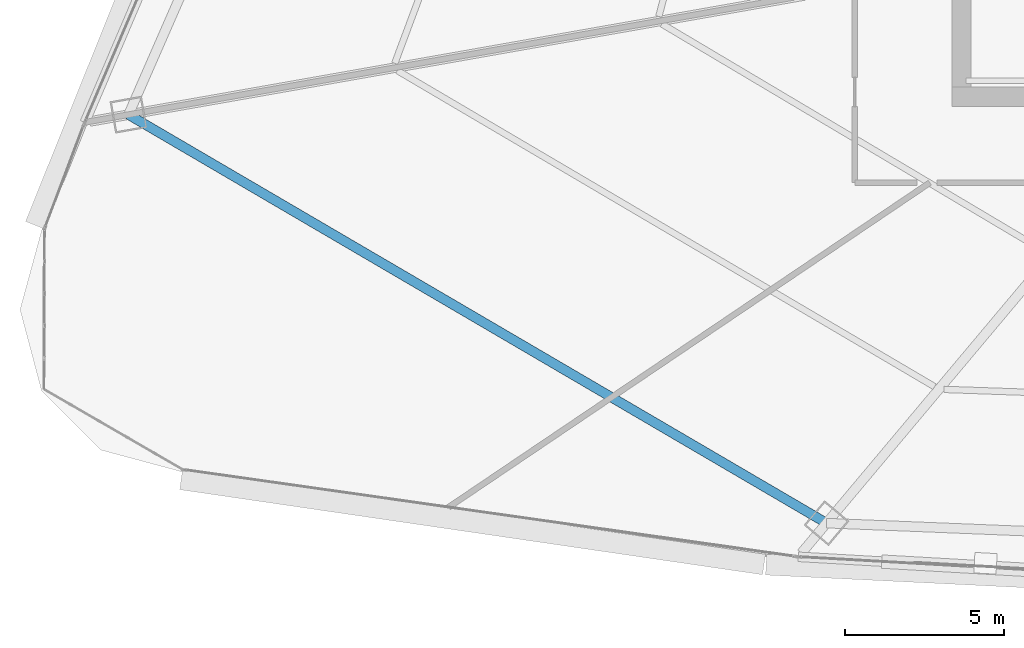
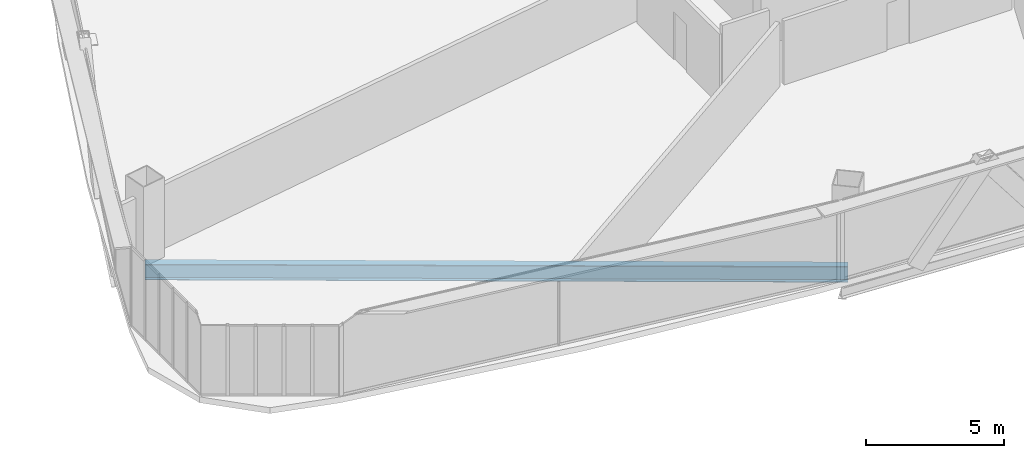
# One storey, part 5 of 41: 1 beam.
"""IFC4 building model written with IfcOpenShell, lengths in metres."""

from ifc_helpers import new_model, si_unit, direction, frame, origin, origin_2d, place, context, subcontext, project, spatial, i_section, extrude, source, transform, mapped, material, material_profile, profile_set, type_object, element, save


model = new_model("IFC4")

# Units and contexts
model_context = context("Model", 3, precision=1e-05, world=origin(), true_north=direction((0.0, 1.0)))
body_context = subcontext(model_context, "Body", "Model", "MODEL_VIEW")
ifc_project = project(units=[si_unit("LENGTHUNIT", "METRE"), si_unit("AREAUNIT", "SQUARE_METRE"), si_unit("VOLUMEUNIT", "CUBIC_METRE"), si_unit("PLANEANGLEUNIT", "RADIAN"), si_unit("MASSUNIT", "GRAM", prefix="KILO"), si_unit("THERMODYNAMICTEMPERATUREUNIT", "KELVIN"), si_unit("POWERUNIT", "WATT")], contexts=[model_context])

# Site, building, storey
site_placement = place(None, origin())
site = spatial("IfcSite", under=ifc_project, at=site_placement, CompositionType="ELEMENT")
building_placement = place(site_placement, origin())
building = spatial("IfcBuilding", under=site, at=building_placement, Name="Yunzhuo Pagoda Commons", CompositionType="ELEMENT")
storey_placement = place(building_placement, frame((0.0, 0.0, 115.3798828125)))
storey = spatial("IfcBuildingStorey", under=building, at=storey_placement, Name="L29", CompositionType="ELEMENT", Elevation=115.3798828125)

# Beam
ifc_material = material(Name="Structural steel Q355B", Category="steel")
ifc_material_profile = material_profile(ifc_material, i_section(OverallWidth=0.300048828125, OverallDepth=0.699951171875, WebThickness=0.012939453125, FlangeThickness=0.02392578125, at=origin_2d()), Name="Structural steel Q355B")
ifc_profile_set = profile_set([ifc_material_profile], Name="Structural steel Q355B")
beam_type = type_object("IfcBeamType", Name="B-RG1 Beam HN 700x300x13x24", PredefinedType="BEAM", material=ifc_profile_set)
shared_shape = source(origin(), body_context, "Body", "SweptSolid", [
    extrude(i_section(OverallWidth=0.300048828125, OverallDepth=0.699951171875, WebThickness=0.012939453125, FlangeThickness=0.02392578125, at=origin_2d()), origin(), (0.0, 0.0, 1.0), 25.3935546875),
])
beam_placement = place(storey_placement, frame((9.647216796875, 26.9375, -0.609619140625), z_axis=(0.863085207128, -0.505058338449, 0.0), x_axis=(0.505058338449, 0.863085207128, 0.0)))
element("IfcBeam", 1, at=beam_placement, inside=storey, type_object=beam_type, Name="L29 column-ring beam 12", PredefinedType="BEAM", context=body_context, shape_type="MappedRepresentation", body=[
    mapped(shared_shape, transform((0.0, 0.0, 0.0), scale=1.0)),
])

save(model, "model.ifc")
